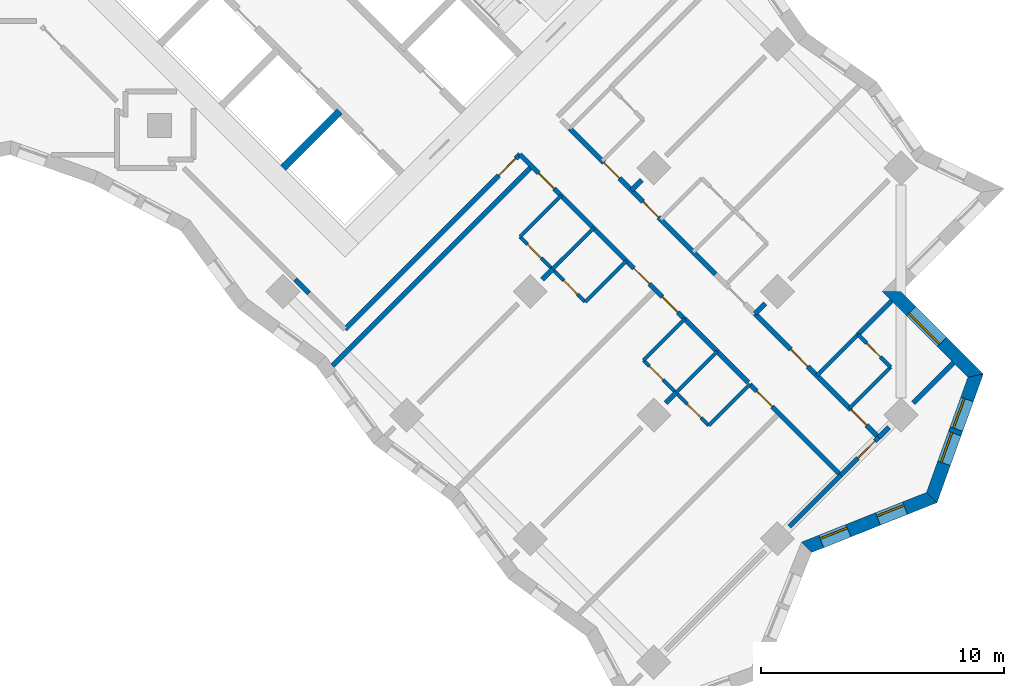
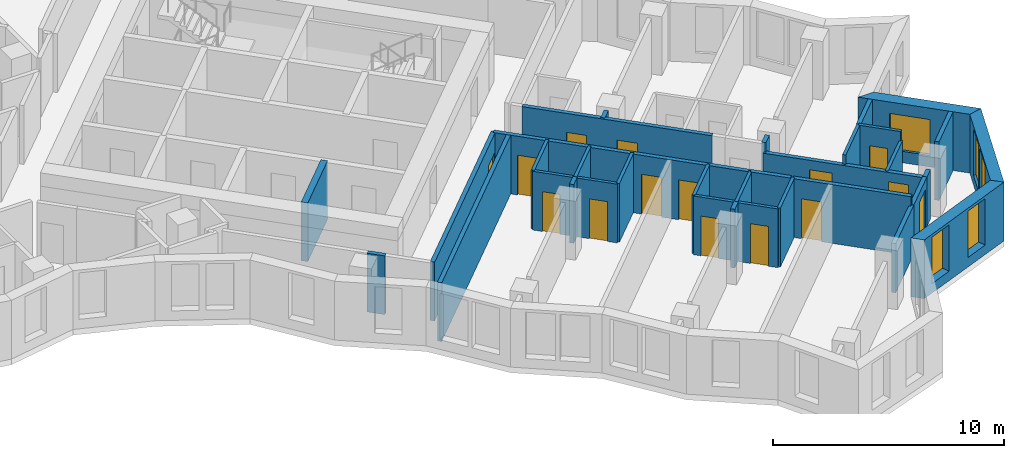
# One storey, part 9 of 13: 33 walls, 15 doors, 5 windows, 20 openings.
"""IFC4 building model written with IfcOpenShell, lengths in metres."""

import ifcopenshell
import ifcopenshell.guid

model = None  # the IFC model being written
_history = None  # IfcOwnerHistory: only IFC2X3 demands one
_inside = {}  # id of a spatial element -> (the spatial element, [elements in it])
_under = {}  # id of a project, library or spatial element -> (it, [spatial elements below it])
_declared = {}  # id of a project -> (the project, [libraries it declares])
_typed = {}  # id of a type object -> (the type object, [elements of that type])
_made_of = {}  # id of a material, layer set ... -> (it, [elements and type objects made of it])


def new_model(schema):
    """Start an empty IFC model of exactly this schema.

    Asked for "IFC4X3", IfcOpenShell would pick the latest addendum, in which some entities
    have other attributes; the version numbers below select the first issue.
    IFC2X3 requires an IfcOwnerHistory on every rooted entity: one is made here for all.
    """
    global model, _history
    if schema == "IFC4X3":
        model = ifcopenshell.file(schema_version=(4, 3, 0, 0))
    else:
        model = ifcopenshell.file(schema=schema)
    _inside.clear()
    _under.clear()
    _declared.clear()
    _typed.clear()
    _made_of.clear()
    _history = None
    if model.schema == "IFC2X3":
        org = make("IfcOrganization", Name="unknown")
        user = make(
            "IfcPersonAndOrganization",
            ThePerson=make("IfcPerson", FamilyName="unknown"),
            TheOrganization=org,
        )
        app = make(
            "IfcApplication",
            ApplicationDeveloper=org,
            Version="unknown",
            ApplicationFullName="unknown",
            ApplicationIdentifier="unknown",
        )
        _history = make(
            "IfcOwnerHistory",
            OwningUser=user,
            OwningApplication=app,
            ChangeAction="ADDED",
            CreationDate=0,
        )
    return model


def make(cls, **values):
    """One entity of the class cls with the attributes given. An attribute that is None is left unset."""
    return model.create_entity(
        cls, **{name: value for name, value in values.items() if value is not None}
    )


def rooted(cls, **values):
    """An entity with a GlobalId (a new one), such as an element, a storey or a relation."""
    return make(cls, GlobalId=ifcopenshell.guid.new(), OwnerHistory=_history, **values)


def si_unit(unit_type, name, prefix=None):
    """IfcSIUnit, for example si_unit("LENGTHUNIT", "METRE", prefix="MILLI")."""
    return make("IfcSIUnit", UnitType=unit_type, Prefix=prefix, Name=name)


def assignment(units):
    """IfcUnitAssignment: the units of a project."""
    return None if units is None else make("IfcUnitAssignment", Units=units)


def point(xyz):
    """IfcCartesianPoint."""
    return None if xyz is None else make("IfcCartesianPoint", Coordinates=xyz)


def direction(xyz):
    """IfcDirection."""
    return None if xyz is None else make("IfcDirection", DirectionRatios=xyz)


def frame(location, z_axis=None, x_axis=None):
    """IfcAxis2Placement3D, a coordinate frame: its origin and axes. An axis left out is left unset."""
    return make(
        "IfcAxis2Placement3D",
        Location=point(location),
        Axis=direction(z_axis),
        RefDirection=direction(x_axis),
    )


def frame_2d(location, x_axis=None):
    """IfcAxis2Placement2D, a coordinate frame in the plane: its origin and x axis."""
    return make(
        "IfcAxis2Placement2D", Location=point(location), RefDirection=direction(x_axis)
    )


def origin():
    """The frame at (0, 0, 0) with its axes left unset."""
    return frame((0.0, 0.0, 0.0))


def place(relative_to, where):
    """IfcLocalPlacement: puts the frame where relative to a parent placement (None: the world)."""
    return make(
        "IfcLocalPlacement", PlacementRelTo=relative_to, RelativePlacement=where
    )


def context(
    kind, dimensions, precision=None, world=None, true_north=None, identifier=None
):
    """IfcGeometricRepresentationContext, for example the 3D "Model" context."""
    return make(
        "IfcGeometricRepresentationContext",
        ContextIdentifier=identifier,
        ContextType=kind,
        CoordinateSpaceDimension=dimensions,
        Precision=precision,
        WorldCoordinateSystem=world,
        TrueNorth=true_north,
    )


def subcontext(parent, identifier, kind, view, scale=None):
    """IfcGeometricRepresentationSubContext, for example "Body" below "Model"."""
    return make(
        "IfcGeometricRepresentationSubContext",
        ContextIdentifier=identifier,
        ContextType=kind,
        ParentContext=parent,
        TargetScale=scale,
        TargetView=view,
    )


def project(units=None, contexts=None):
    """IfcProject with its units and contexts."""
    return rooted(
        "IfcProject",
        Name="project",
        RepresentationContexts=contexts,
        UnitsInContext=assignment(units),
    )


def spatial(cls, under=None, at=None, **own):
    """A site, building, storey or space (cls), placed at a placement, below another one or the project."""
    s = rooted(cls, ObjectPlacement=at, **own)
    if under is not None:
        _under.setdefault(under.id(), (under, []))[1].append(s)
    return s


def polyline(points):
    """IfcPolyline through the points."""
    return make("IfcPolyline", Points=[point(p) for p in points])


def profile(cls, at=None, kind="AREA", **sizes):
    """A parametric profile (cls). Its sizes go by their IFC names, for example OverallWidth=200.0."""
    return make(cls, ProfileType=kind, Position=at, **sizes)


def rectangle(**sizes):
    """IfcRectangleProfileDef."""
    return profile("IfcRectangleProfileDef", **sizes)


def outline(outer, holes=None, kind="AREA"):
    """IfcArbitraryClosedProfileDef: a profile drawn as a closed curve; with holes, ...WithVoids."""
    if holes is None:
        return make("IfcArbitraryClosedProfileDef", ProfileType=kind, OuterCurve=outer)
    return make(
        "IfcArbitraryProfileDefWithVoids",
        ProfileType=kind,
        OuterCurve=outer,
        InnerCurves=holes,
    )


def extrude(swept, where, along, depth):
    """IfcExtrudedAreaSolid: the profile swept, set in the frame where, extruded along a direction by depth."""
    return make(
        "IfcExtrudedAreaSolid",
        SweptArea=swept,
        Position=where,
        ExtrudedDirection=direction(along),
        Depth=depth,
    )


def shape(context_of_items, identifier, shape_type, items):
    """IfcShapeRepresentation: the items that make up one representation, for example the "Body"."""
    return make(
        "IfcShapeRepresentation",
        ContextOfItems=context_of_items,
        RepresentationIdentifier=identifier,
        RepresentationType=shape_type,
        Items=items,
    )


def material(Name=None, Category=None):
    """IfcMaterial."""
    return make("IfcMaterial", Name=Name, Category=Category)


def layer(
    of_material, thickness, ventilated=None, Name=None, Category=None, Priority=None
):
    """IfcMaterialLayer: one layer of a wall or slab, of a material (None: an air gap)."""
    return make(
        "IfcMaterialLayer",
        Material=of_material,
        LayerThickness=thickness,
        IsVentilated=ventilated,
        Name=Name,
        Category=Category,
        Priority=Priority,
    )


def layer_set(layers, Name=None):
    """IfcMaterialLayerSet."""
    return make("IfcMaterialLayerSet", MaterialLayers=layers, LayerSetName=Name)


def made_of(thing, what):
    """Note that an element or type object is made of a material, layer set ...; save() writes the relation."""
    if what is not None:
        _made_of.setdefault(what.id(), (what, []))[1].append(thing)
    return thing


def type_object(cls, material=None, **own):
    """A type object (cls), such as IfcWallType, which elements share."""
    return made_of(rooted(cls, **own), material)


def element(
    cls,
    number,
    at=None,
    inside=None,
    cuts=None,
    type_object=None,
    material=None,
    context=None,
    identifier="Body",
    shape_type=None,
    held_by="IfcProductDefinitionShape",
    body=None,
    shapes=None,
    **own,
):
    """One element of the class cls, such as IfcWall. Its Tag is "e" and its number.

    at: its placement. inside: the storey or other place that contains it. cuts: it is an
    opening in that element (IfcRelVoidsElement). A single representation is given by context,
    identifier, shape_type and body (its items); several are given by shapes. held_by: the class
    of the entity that holds the representations. save() writes the other relations.
    """
    e = rooted(cls, Tag="e%d" % number, ObjectPlacement=at, **own)
    if body is not None:
        shapes = [shape(context, identifier, shape_type, body)]
    if shapes is not None:
        e.Representation = make(held_by, Representations=shapes)
    if inside is not None:
        _inside.setdefault(inside.id(), (inside, []))[1].append(e)
    if cuts is not None:
        rooted(
            "IfcRelVoidsElement", RelatingBuildingElement=cuts, RelatedOpeningElement=e
        )
    if type_object is not None:
        _typed.setdefault(type_object.id(), (type_object, []))[1].append(e)
    return made_of(e, material)


def fill(opening, filler):
    """IfcRelFillsElement: the door or window that sits in an opening."""
    return rooted(
        "IfcRelFillsElement",
        RelatingOpeningElement=opening,
        RelatedBuildingElement=filler,
    )


def aggregate(whole, parts):
    """IfcRelAggregates: a whole, such as a stair, and the parts it consists of."""
    return rooted("IfcRelAggregates", RelatingObject=whole, RelatedObjects=parts)


def save(model, path):
    """Write the relations noted so far, then the file.

    IfcRelAggregates (storeys below a building ...), IfcRelContainedInSpatialStructure (elements
    in a storey), IfcRelDefinesByType, IfcRelAssociatesMaterial and IfcRelDeclares: one each for
    every whole, place, type object, material and project.
    """
    for whole, parts in _under.values():
        aggregate(whole, parts)
    for where, things in _inside.values():
        rooted(
            "IfcRelContainedInSpatialStructure",
            RelatedElements=things,
            RelatingStructure=where,
        )
    for kind, things in _typed.values():
        rooted("IfcRelDefinesByType", RelatedObjects=things, RelatingType=kind)
    for what, things in _made_of.values():
        rooted("IfcRelAssociatesMaterial", RelatedObjects=things, RelatingMaterial=what)
    for by, libraries in _declared.values():
        rooted("IfcRelDeclares", RelatingContext=by, RelatedDefinitions=libraries)
    model.write(path)


model = new_model("IFC4")

# Units and contexts
model_context = context("Model", 3, precision=1e-05, world=origin(), true_north=direction((0.0, 1.0)))
body_context = subcontext(model_context, "Body", "Model", "MODEL_VIEW")
ifc_project = project(units=[si_unit("LENGTHUNIT", "METRE"), si_unit("AREAUNIT", "SQUARE_METRE"), si_unit("VOLUMEUNIT", "CUBIC_METRE"), si_unit("PLANEANGLEUNIT", "RADIAN"), si_unit("MASSUNIT", "GRAM", prefix="KILO")], contexts=[model_context])

# Site, building, storey
site_placement = place(None, origin())
site = spatial("IfcSite", under=ifc_project, at=site_placement, CompositionType="ELEMENT")
building_placement = place(site_placement, origin())
building = spatial("IfcBuilding", under=site, at=building_placement, Name="Windrow Commons", CompositionType="ELEMENT")
storey_placement = place(building_placement, frame((0.0, 0.0, 115.2)))
storey = spatial("IfcBuildingStorey", under=building, at=storey_placement, Name="L31", CompositionType="ELEMENT", Elevation=115.2)

# Wall, openings, windows
ifc_material_1 = material(Name="Brick masonry, red clay brick", Category="masonry")
ifc_layer_1 = layer(ifc_material_1, 0.55)
ifc_layer_set_1 = layer_set([ifc_layer_1], Name="Brick facade wall 550")
wall_type_1 = type_object("IfcWallType", Name="Brick facade wall 550", PredefinedType="SOLIDWALL", material=ifc_layer_set_1)
wall_1_placement = place(storey_placement, frame((105.8572, 25.8245, 0.0), z_axis=(0.0, 0.0, 1.0), x_axis=(0.9293292169, 0.3692522262, 0.0)))
wall_1 = element("IfcWall", 1, at=wall_1_placement, inside=storey, type_object=wall_type_1, Name="Brick facade wall L31 3", PredefinedType="SOLIDWALL", context=body_context, shape_type="SweptSolid", body=[
    extrude(outline(polyline([(0.1186, -0.275), (5.6736, -0.275), (5.4256, 0.275), (-0.1186, 0.275), (0.1186, -0.275)])), origin(), (0.0, 0.0, 1.0), 3.1),
])
opening_1_placement = place(wall_1_placement, frame((0.6529, 0.0, 0.5)))
opening_1 = element("IfcOpeningElement", 2, at=opening_1_placement, cuts=wall_1, Name="Opening W7D", PredefinedType="OPENING", context=body_context, shape_type="SweptSolid", body=[
    extrude(rectangle(XDim=1.2, YDim=2.45, at=frame_2d((0.6, 1.225))), frame((0.0, 0.285, 0.0), z_axis=(0.0, -1.0, 0.0), x_axis=(1.0, 0.0, 0.0)), (0.0, 0.0, 1.0), 0.57),
])
opening_2_placement = place(wall_1_placement, frame((3.1657, 0.0, 0.5)))
opening_2 = element("IfcOpeningElement", 3, at=opening_2_placement, cuts=wall_1, Name="Opening W7D", PredefinedType="OPENING", context=body_context, shape_type="SweptSolid", body=[
    extrude(rectangle(XDim=1.2, YDim=2.45, at=frame_2d((0.6, 1.225))), frame((0.0, 0.285, 0.0), z_axis=(0.0, -1.0, 0.0), x_axis=(1.0, 0.0, 0.0)), (0.0, 0.0, 1.0), 0.57),
])
ifc_material_2 = material(Name="Clear float glass in anodised aluminium frame", Category="aluminium")
window_type_1 = type_object("IfcWindowType", Name="Window W7 notch 1200x2450", PartitioningType="SINGLE_PANEL", PredefinedType="WINDOW", material=ifc_material_2)
window_1_placement = place(opening_1_placement, origin())
window_1 = element("IfcWindow", 4, at=window_1_placement, inside=storey, type_object=window_type_1, Name="Window L31 3.1", OverallHeight=2.45, OverallWidth=1.2, PartitioningType="SINGLE_PANEL", PredefinedType="WINDOW", context=body_context, shape_type="SweptSolid", body=[
    extrude(rectangle(XDim=1.2, YDim=2.45, at=frame_2d((0.6, 1.225))), frame((0.0, 0.155, 0.0), z_axis=(0.0, -1.0, 0.0), x_axis=(1.0, 0.0, 0.0)), (0.0, 0.0, 1.0), 0.06),
])
fill(opening_1, window_1)
window_2_placement = place(opening_2_placement, origin())
window_2 = element("IfcWindow", 5, at=window_2_placement, inside=storey, type_object=window_type_1, Name="Window L31 3.2", OverallHeight=2.45, OverallWidth=1.2, PartitioningType="SINGLE_PANEL", PredefinedType="WINDOW", context=body_context, shape_type="SweptSolid", body=[
    extrude(rectangle(XDim=1.2, YDim=2.45, at=frame_2d((0.6, 1.225))), frame((0.0, 0.155, 0.0), z_axis=(0.0, -1.0, 0.0), x_axis=(1.0, 0.0, 0.0)), (0.0, 0.0, 1.0), 0.06),
])
fill(opening_2, window_2)

wall_2_placement = place(storey_placement, frame((111.0146, 27.8737, 0.0), z_axis=(0.0, 0.0, 1.0), x_axis=(0.3387725306, 0.9408683077, 0.0)))
wall_2 = element("IfcWall", 6, at=wall_2_placement, inside=storey, type_object=wall_type_1, Name="Brick facade wall L31 4", PredefinedType="SOLIDWALL", context=body_context, shape_type="SweptSolid", body=[
    extrude(outline(polyline([(-0.124, -0.275), (5.5132, -0.275), (5.1641, 0.275), (0.124, 0.275), (-0.124, -0.275)])), origin(), (0.0, 0.0, 1.0), 3.1),
])
opening_3_placement = place(wall_2_placement, frame((1.4977, 0.0, 0.5)))
opening_3 = element("IfcOpeningElement", 7, at=opening_3_placement, cuts=wall_2, Name="Opening W1P", PredefinedType="OPENING", context=body_context, shape_type="SweptSolid", body=[
    extrude(rectangle(XDim=1.3, YDim=2.45, at=frame_2d((0.65, 1.225))), frame((0.0, 0.285, 0.0), z_axis=(0.0, -1.0, 0.0), x_axis=(1.0, 0.0, 0.0)), (0.0, 0.0, 1.0), 0.57),
])
opening_4_placement = place(wall_2_placement, frame((2.9977, 0.0, 0.5)))
opening_4 = element("IfcOpeningElement", 8, at=opening_4_placement, cuts=wall_2, Name="Opening W1P", PredefinedType="OPENING", context=body_context, shape_type="SweptSolid", body=[
    extrude(rectangle(XDim=1.3, YDim=2.45, at=frame_2d((0.65, 1.225))), frame((0.0, 0.285, 0.0), z_axis=(0.0, -1.0, 0.0), x_axis=(1.0, 0.0, 0.0)), (0.0, 0.0, 1.0), 0.57),
])
ifc_material_3 = material(Name="Clear float glass in anodised aluminium frame", Category="aluminium")
window_type_2 = type_object("IfcWindowType", Name="Window W1P pair 1300x2450", PartitioningType="SINGLE_PANEL", PredefinedType="WINDOW", material=ifc_material_3)
window_3_placement = place(opening_3_placement, origin())
window_3 = element("IfcWindow", 9, at=window_3_placement, inside=storey, type_object=window_type_2, Name="Window L31 4.1A", OverallHeight=2.45, OverallWidth=1.3, PartitioningType="SINGLE_PANEL", PredefinedType="WINDOW", context=body_context, shape_type="SweptSolid", body=[
    extrude(rectangle(XDim=1.3, YDim=2.45, at=frame_2d((0.65, 1.225))), frame((0.0, 0.155, 0.0), z_axis=(0.0, -1.0, 0.0), x_axis=(1.0, 0.0, 0.0)), (0.0, 0.0, 1.0), 0.06),
])
fill(opening_3, window_3)
window_4_placement = place(opening_4_placement, origin())
window_4 = element("IfcWindow", 10, at=window_4_placement, inside=storey, type_object=window_type_2, Name="Window L31 4.1B", OverallHeight=2.45, OverallWidth=1.3, PartitioningType="SINGLE_PANEL", PredefinedType="WINDOW", context=body_context, shape_type="SweptSolid", body=[
    extrude(rectangle(XDim=1.3, YDim=2.45, at=frame_2d((0.65, 1.225))), frame((0.0, 0.155, 0.0), z_axis=(0.0, -1.0, 0.0), x_axis=(1.0, 0.0, 0.0)), (0.0, 0.0, 1.0), 0.06),
])
fill(opening_4, window_4)

# Wall, opening, window
wall_3_placement = place(storey_placement, frame((112.8232, 32.8967, 0.0), z_axis=(0.0, 0.0, 1.0), x_axis=(-0.7071067812, 0.7071067812, 0.0)))
wall_3 = element("IfcWall", 11, at=wall_3_placement, inside=storey, type_object=wall_type_1, Name="Brick facade wall L31 5", PredefinedType="SOLIDWALL", context=body_context, shape_type="SweptSolid", body=[
    extrude(outline(polyline([(-0.1745, -0.275), (4.6255, -0.275), (5.1755, 0.275), (0.1745, 0.275), (-0.1745, -0.275)])), origin(), (0.0, 0.0, 1.0), 3.1),
])
opening_5_placement = place(wall_3_placement, frame((1.963, 0.0, 0.6)))
opening_5 = element("IfcOpeningElement", 12, at=opening_5_placement, cuts=wall_3, Name="Opening W1L", PredefinedType="OPENING", context=body_context, shape_type="SweptSolid", body=[
    extrude(rectangle(XDim=1.8, YDim=1.9, at=frame_2d((0.9, 0.95))), frame((0.0, 0.285, 0.0), z_axis=(0.0, -1.0, 0.0), x_axis=(1.0, 0.0, 0.0)), (0.0, 0.0, 1.0), 0.57),
])
ifc_material_4 = material(Name="Clear float glass in anodised aluminium frame", Category="aluminium")
window_type_3 = type_object("IfcWindowType", Name="Window W1L bedroom 1800x1900", PartitioningType="SINGLE_PANEL", PredefinedType="WINDOW", material=ifc_material_4)
window_5_placement = place(opening_5_placement, origin())
window_5 = element("IfcWindow", 13, at=window_5_placement, inside=storey, type_object=window_type_3, Name="Window L31 5.1", OverallHeight=1.9, OverallWidth=1.8, PartitioningType="SINGLE_PANEL", PredefinedType="WINDOW", context=body_context, shape_type="SweptSolid", body=[
    extrude(rectangle(XDim=1.8, YDim=1.9, at=frame_2d((0.9, 0.95))), frame((0.0, 0.155, 0.0), z_axis=(0.0, -1.0, 0.0), x_axis=(1.0, 0.0, 0.0)), (0.0, 0.0, 1.0), 0.06),
])
fill(opening_5, window_5)

# Wall, opening, door
ifc_material_5 = material(Name="Blockwork partition", Category="masonry")
ifc_layer_2 = layer(ifc_material_5, 0.2)
ifc_layer_set_2 = layer_set([ifc_layer_2], Name="IW-CORRIDOR-200")
wall_type_2 = type_object("IfcWallType", Name="IW-CORRIDOR-200", PredefinedType="PARTITIONING", material=ifc_layer_set_2)
wall_4_placement = place(storey_placement, frame((86.8355, 34.8065, 0.0), z_axis=(0.0, 0.0, 1.0), x_axis=(0.7071067812, 0.7071067812, 0.0)))
wall_4 = element("IfcWall", 14, at=wall_4_placement, inside=storey, type_object=wall_type_2, Name="W-L31-W011", PredefinedType="PARTITIONING", context=body_context, shape_type="SweptSolid", body=[
    extrude(rectangle(XDim=10.2007, YDim=0.2, at=frame_2d((5.1003, 0.0))), origin(), (0.0, 0.0, 1.0), 3.1),
])
opening_6_placement = place(wall_4_placement, frame((8.959, 0.0, 0.0)))
opening_6 = element("IfcOpeningElement", 15, at=opening_6_placement, cuts=wall_4, Name="Opening D310F", PredefinedType="OPENING", context=body_context, shape_type="SweptSolid", body=[
    extrude(rectangle(XDim=1.0, YDim=2.1, at=frame_2d((0.5, 1.05))), frame((0.0, 0.11, 0.0), z_axis=(0.0, -1.0, 0.0), x_axis=(1.0, 0.0, 0.0)), (0.0, 0.0, 1.0), 0.22),
])
ifc_material_6 = material(Name="Timber door leaf", Category="wood")
door_type_1 = type_object("IfcDoorType", Name="DT-AMENITY-1000", OperationType="SINGLE_SWING_LEFT", PredefinedType="DOOR", material=ifc_material_6)
door_1_placement = place(opening_6_placement, origin())
door_1 = element("IfcDoor", 16, at=door_1_placement, inside=storey, type_object=door_type_1, Name="D-L31-D056", OperationType="SINGLE_SWING_LEFT", OverallHeight=2.1, OverallWidth=1.0, PredefinedType="DOOR", context=body_context, shape_type="SweptSolid", body=[
    extrude(rectangle(XDim=1.0, YDim=2.1, at=frame_2d((0.5, 1.05))), frame((0.0, 0.025, 0.0), z_axis=(0.0, -1.0, 0.0), x_axis=(1.0, 0.0, 0.0)), (0.0, 0.0, 1.0), 0.05),
])
fill(opening_6, door_1)

# Wall, openings, doors
wall_5_placement = place(storey_placement, frame((94.0467, 42.0147, 0.0), z_axis=(0.0, 0.0, 1.0), x_axis=(0.7071067812, -0.7071067812, 0.0)))
wall_5 = element("IfcWall", 17, at=wall_5_placement, inside=storey, type_object=wall_type_2, Name="W-L31-W012", PredefinedType="PARTITIONING", context=body_context, shape_type="SweptSolid", body=[
    extrude(rectangle(XDim=9.5997, YDim=0.2, at=frame_2d((4.7999, 0.0))), origin(), (0.0, 0.0, 1.0), 3.1),
])
opening_7_placement = place(wall_5_placement, frame((1.099, 0.0, 0.0)))
opening_7 = element("IfcOpeningElement", 18, at=opening_7_placement, cuts=wall_5, Name="Opening D109S", PredefinedType="OPENING", context=body_context, shape_type="SweptSolid", body=[
    extrude(rectangle(XDim=0.9, YDim=2.1, at=frame_2d((0.45, 1.05))), frame((0.0, 0.11, 0.0), z_axis=(0.0, -1.0, 0.0), x_axis=(1.0, 0.0, 0.0)), (0.0, 0.0, 1.0), 0.22),
])
opening_8_placement = place(wall_5_placement, frame((6.649, 0.0, 0.0)))
opening_8 = element("IfcOpeningElement", 19, at=opening_8_placement, cuts=wall_5, Name="Opening D109S", PredefinedType="OPENING", context=body_context, shape_type="SweptSolid", body=[
    extrude(rectangle(XDim=0.9, YDim=2.1, at=frame_2d((0.45, 1.05))), frame((0.0, 0.11, 0.0), z_axis=(0.0, -1.0, 0.0), x_axis=(1.0, 0.0, 0.0)), (0.0, 0.0, 1.0), 0.22),
])
opening_9_placement = place(wall_5_placement, frame((8.3003, 0.0, 0.0)))
opening_9 = element("IfcOpeningElement", 20, at=opening_9_placement, cuts=wall_5, Name="Opening D109S", PredefinedType="OPENING", context=body_context, shape_type="SweptSolid", body=[
    extrude(rectangle(XDim=0.9, YDim=2.1, at=frame_2d((0.45, 1.05))), frame((0.0, 0.11, 0.0), z_axis=(0.0, -1.0, 0.0), x_axis=(1.0, 0.0, 0.0)), (0.0, 0.0, 1.0), 0.22),
])
ifc_material_7 = material(Name="Timber door leaf", Category="wood")
door_type_2 = type_object("IfcDoorType", Name="DT-BEDROOM-900", OperationType="SINGLE_SWING_LEFT", PredefinedType="DOOR", material=ifc_material_7)
door_2_placement = place(opening_7_placement, origin())
door_2 = element("IfcDoor", 21, at=door_2_placement, inside=storey, type_object=door_type_2, Name="D-L31-D057", OperationType="SINGLE_SWING_LEFT", OverallHeight=2.1, OverallWidth=0.9, PredefinedType="DOOR", context=body_context, shape_type="SweptSolid", body=[
    extrude(rectangle(XDim=0.9, YDim=2.1, at=frame_2d((0.45, 1.05))), frame((0.0, 0.025, 0.0), z_axis=(0.0, -1.0, 0.0), x_axis=(1.0, 0.0, 0.0)), (0.0, 0.0, 1.0), 0.05),
])
fill(opening_7, door_2)
door_3_placement = place(opening_8_placement, origin())
door_3 = element("IfcDoor", 22, at=door_3_placement, inside=storey, type_object=door_type_2, Name="D-L31-D059", OperationType="SINGLE_SWING_RIGHT", OverallHeight=2.1, OverallWidth=0.9, PredefinedType="DOOR", context=body_context, shape_type="SweptSolid", body=[
    extrude(rectangle(XDim=0.9, YDim=2.1, at=frame_2d((0.45, 1.05))), frame((0.0, 0.025, 0.0), z_axis=(0.0, -1.0, 0.0), x_axis=(1.0, 0.0, 0.0)), (0.0, 0.0, 1.0), 0.05),
])
fill(opening_8, door_3)
door_4_placement = place(opening_9_placement, origin())
door_4 = element("IfcDoor", 23, at=door_4_placement, inside=storey, type_object=door_type_2, Name="D-L31-D061", OperationType="SINGLE_SWING_LEFT", OverallHeight=2.1, OverallWidth=0.9, PredefinedType="DOOR", context=body_context, shape_type="SweptSolid", body=[
    extrude(rectangle(XDim=0.9, YDim=2.1, at=frame_2d((0.45, 1.05))), frame((0.0, 0.025, 0.0), z_axis=(0.0, -1.0, 0.0), x_axis=(1.0, 0.0, 0.0)), (0.0, 0.0, 1.0), 0.05),
])
fill(opening_9, door_4)

wall_6_placement = place(storey_placement, frame((96.1034, 43.0834, 0.0), z_axis=(0.0, 0.0, 1.0), x_axis=(0.7071067812, -0.7071067812, 0.0)))
wall_6 = element("IfcWall", 24, at=wall_6_placement, inside=storey, type_object=wall_type_2, Name="W-L31-W015", PredefinedType="PARTITIONING", context=body_context, shape_type="SweptSolid", body=[
    extrude(rectangle(XDim=8.4909, YDim=0.2, at=frame_2d((4.2454, 0.0))), origin(), (0.0, 0.0, 1.0), 3.1),
])
opening_10_placement = place(wall_6_placement, frame((1.9952, 0.0, 0.0)))
opening_10 = element("IfcOpeningElement", 25, at=opening_10_placement, cuts=wall_6, Name="Opening D109S", PredefinedType="OPENING", context=body_context, shape_type="SweptSolid", body=[
    extrude(rectangle(XDim=0.9, YDim=2.1, at=frame_2d((0.45, 1.05))), frame((0.0, 0.11, 0.0), z_axis=(0.0, -1.0, 0.0), x_axis=(1.0, 0.0, 0.0)), (0.0, 0.0, 1.0), 0.22),
])
opening_11_placement = place(wall_6_placement, frame((4.2704, 0.0, 0.0)))
opening_11 = element("IfcOpeningElement", 26, at=opening_11_placement, cuts=wall_6, Name="Opening D109S", PredefinedType="OPENING", context=body_context, shape_type="SweptSolid", body=[
    extrude(rectangle(XDim=0.9, YDim=2.1, at=frame_2d((0.45, 1.05))), frame((0.0, 0.11, 0.0), z_axis=(0.0, -1.0, 0.0), x_axis=(1.0, 0.0, 0.0)), (0.0, 0.0, 1.0), 0.22),
])
door_5_placement = place(opening_10_placement, origin())
door_5 = element("IfcDoor", 27, at=door_5_placement, inside=storey, type_object=door_type_2, Name="D-L31-D048", OperationType="SINGLE_SWING_RIGHT", OverallHeight=2.1, OverallWidth=0.9, PredefinedType="DOOR", context=body_context, shape_type="SweptSolid", body=[
    extrude(rectangle(XDim=0.9, YDim=2.1, at=frame_2d((0.45, 1.05))), frame((0.0, 0.025, 0.0), z_axis=(0.0, -1.0, 0.0), x_axis=(1.0, 0.0, 0.0)), (0.0, 0.0, 1.0), 0.05),
])
fill(opening_10, door_5)
door_6_placement = place(opening_11_placement, origin())
door_6 = element("IfcDoor", 28, at=door_6_placement, inside=storey, type_object=door_type_2, Name="D-L31-D050", OperationType="SINGLE_SWING_LEFT", OverallHeight=2.1, OverallWidth=0.9, PredefinedType="DOOR", context=body_context, shape_type="SweptSolid", body=[
    extrude(rectangle(XDim=0.9, YDim=2.1, at=frame_2d((0.45, 1.05))), frame((0.0, 0.025, 0.0), z_axis=(0.0, -1.0, 0.0), x_axis=(1.0, 0.0, 0.0)), (0.0, 0.0, 1.0), 0.05),
])
fill(opening_11, door_6)

wall_7_placement = place(storey_placement, frame((108.8314, 30.3554, 0.0), z_axis=(0.0, 0.0, 1.0), x_axis=(-0.7073012053, 0.7069123036, 0.0)))
wall_7 = element("IfcWall", 29, at=wall_7_placement, inside=storey, type_object=wall_type_2, Name="W-L31-W019", PredefinedType="PARTITIONING", context=body_context, shape_type="SweptSolid", body=[
    extrude(rectangle(XDim=7.1998, YDim=0.2, at=frame_2d((3.5999, 0.0))), origin(), (0.0, 0.0, 1.0), 2.6),
])
opening_12_placement = place(wall_7_placement, frame((4.1247, 0.0, 0.0)))
opening_12 = element("IfcOpeningElement", 30, at=opening_12_placement, cuts=wall_7, Name="Opening D310F", PredefinedType="OPENING", context=body_context, shape_type="SweptSolid", body=[
    extrude(rectangle(XDim=1.0, YDim=2.1, at=frame_2d((0.5, 1.05))), frame((0.0, 0.11, 0.0), z_axis=(0.0, -1.0, 0.0), x_axis=(1.0, 0.0, 0.0)), (0.0, 0.0, 1.0), 0.22),
])
opening_13_placement = place(wall_7_placement, frame((0.7053, 0.0, 0.0)))
opening_13 = element("IfcOpeningElement", 31, at=opening_13_placement, cuts=wall_7, Name="Opening D109S", PredefinedType="OPENING", context=body_context, shape_type="SweptSolid", body=[
    extrude(rectangle(XDim=0.9, YDim=2.1, at=frame_2d((0.45, 1.05))), frame((0.0, 0.11, 0.0), z_axis=(0.0, -1.0, 0.0), x_axis=(1.0, 0.0, 0.0)), (0.0, 0.0, 1.0), 0.22),
])
door_7_placement = place(opening_12_placement, origin())
door_7 = element("IfcDoor", 32, at=door_7_placement, inside=storey, type_object=door_type_1, Name="D-L31-D045", OperationType="SINGLE_SWING_LEFT", OverallHeight=2.1, OverallWidth=1.0, PredefinedType="DOOR", context=body_context, shape_type="SweptSolid", body=[
    extrude(rectangle(XDim=1.0, YDim=2.1, at=frame_2d((0.5, 1.05))), frame((0.0, 0.025, 0.0), z_axis=(0.0, -1.0, 0.0), x_axis=(1.0, 0.0, 0.0)), (0.0, 0.0, 1.0), 0.05),
])
fill(opening_12, door_7)
door_8_placement = place(opening_13_placement, origin())
door_8 = element("IfcDoor", 33, at=door_8_placement, inside=storey, type_object=door_type_2, Name="D-L31-D065", OperationType="SINGLE_SWING_RIGHT", OverallHeight=2.1, OverallWidth=0.9, PredefinedType="DOOR", context=body_context, shape_type="SweptSolid", body=[
    extrude(rectangle(XDim=0.9, YDim=2.1, at=frame_2d((0.45, 1.05))), frame((0.0, 0.025, 0.0), z_axis=(0.0, -1.0, 0.0), x_axis=(1.0, 0.0, 0.0)), (0.0, 0.0, 1.0), 0.05),
])
fill(opening_13, door_8)

# Wall, opening, door
wall_8_placement = place(storey_placement, frame((103.5207, 32.5407, 0.0), z_axis=(0.0, 0.0, 1.0), x_axis=(0.7071067812, -0.7071067812, 0.0)))
wall_8 = element("IfcWall", 34, at=wall_8_placement, inside=storey, type_object=wall_type_2, Name="W-L31-W038", PredefinedType="PARTITIONING", context=body_context, shape_type="SweptSolid", body=[
    extrude(rectangle(XDim=5.3005, YDim=0.2, at=frame_2d((2.6503, 0.0))), origin(), (0.0, 0.0, 1.0), 3.1),
])
opening_14_placement = place(wall_8_placement, frame((0.3957, 0.0, 0.0)))
opening_14 = element("IfcOpeningElement", 35, at=opening_14_placement, cuts=wall_8, Name="Opening D109S", PredefinedType="OPENING", context=body_context, shape_type="SweptSolid", body=[
    extrude(rectangle(XDim=0.9, YDim=2.1, at=frame_2d((0.45, 1.05))), frame((0.0, 0.11, 0.0), z_axis=(0.0, -1.0, 0.0), x_axis=(1.0, 0.0, 0.0)), (0.0, 0.0, 1.0), 0.22),
])
door_9_placement = place(opening_14_placement, origin())
door_9 = element("IfcDoor", 36, at=door_9_placement, inside=storey, type_object=door_type_2, Name="D-L31-D063", OperationType="SINGLE_SWING_RIGHT", OverallHeight=2.1, OverallWidth=0.9, PredefinedType="DOOR", context=body_context, shape_type="SweptSolid", body=[
    extrude(rectangle(XDim=0.9, YDim=2.1, at=frame_2d((0.45, 1.05))), frame((0.0, 0.025, 0.0), z_axis=(0.0, -1.0, 0.0), x_axis=(1.0, 0.0, 0.0)), (0.0, 0.0, 1.0), 0.05),
])
fill(opening_14, door_9)

wall_9_placement = place(storey_placement, frame((107.2714, 28.7966, 0.0), z_axis=(0.0, 0.0, 1.0), x_axis=(0.7071067812, 0.7071067812, 0.0)))
wall_9 = element("IfcWall", 37, at=wall_9_placement, inside=storey, type_object=wall_type_2, Name="W-L31-W128", PredefinedType="PARTITIONING", context=body_context, shape_type="SweptSolid", body=[
    extrude(rectangle(XDim=2.2005, YDim=0.2, at=frame_2d((1.1002, 0.0))), origin(), (0.0, 0.0, 1.0), 2.6),
])
opening_15_placement = place(wall_9_placement, frame((0.9866, 0.0, 0.0)))
opening_15 = element("IfcOpeningElement", 38, at=opening_15_placement, cuts=wall_9, Name="Opening D310F", PredefinedType="OPENING", context=body_context, shape_type="SweptSolid", body=[
    extrude(rectangle(XDim=1.0, YDim=2.1, at=frame_2d((0.5, 1.05))), frame((0.0, 0.11, 0.0), z_axis=(0.0, -1.0, 0.0), x_axis=(1.0, 0.0, 0.0)), (0.0, 0.0, 1.0), 0.22),
])
door_10_placement = place(opening_15_placement, origin())
door_10 = element("IfcDoor", 39, at=door_10_placement, inside=storey, type_object=door_type_1, Name="D-L31-D067", OperationType="SINGLE_SWING_RIGHT", OverallHeight=2.1, OverallWidth=1.0, PredefinedType="DOOR", context=body_context, shape_type="SweptSolid", body=[
    extrude(rectangle(XDim=1.0, YDim=2.1, at=frame_2d((0.5, 1.05))), frame((0.0, 0.025, 0.0), z_axis=(0.0, -1.0, 0.0), x_axis=(1.0, 0.0, 0.0)), (0.0, 0.0, 1.0), 0.05),
])
fill(opening_15, door_10)

# Walls
wall_10_placement = place(storey_placement, frame((100.8386, 35.2306, 0.0), z_axis=(0.0, 0.0, 1.0), x_axis=(0.7065800724, -0.7076330979, 0.0)))
element("IfcWall", 40, at=wall_10_placement, inside=storey, type_object=wall_type_2, Name="W-L31-W151", PredefinedType="PARTITIONING", context=body_context, shape_type="SweptSolid", body=[
    extrude(rectangle(XDim=1.8993, YDim=0.2, at=frame_2d((0.9496, 0.0))), origin(), (0.0, 0.0, 1.0), 3.1),
])
wall_11_placement = place(storey_placement, frame((102.1834, 33.8894, 0.0), z_axis=(0.0, 0.0, 1.0), x_axis=(0.7076620277, -0.7065510983, 0.0)))
element("IfcWall", 41, at=wall_11_placement, inside=storey, type_object=wall_type_2, Name="W-L31-W155", PredefinedType="PARTITIONING", context=body_context, shape_type="SweptSolid", body=[
    extrude(rectangle(XDim=1.8003, YDim=0.2, at=frame_2d((0.9002, 0.0))), origin(), (0.0, 0.0, 1.0), 3.1),
])
wall_12_placement = place(storey_placement, frame((84.7953, 36.8553, 0.0), z_axis=(0.0, 0.0, 1.0), x_axis=(0.7071067812, -0.7071067812, 0.0)))
element("IfcWall", 42, at=wall_12_placement, inside=storey, type_object=wall_type_2, Name="W-L31-W179", PredefinedType="PARTITIONING", context=body_context, shape_type="SweptSolid", body=[
    extrude(rectangle(XDim=0.792, YDim=0.2, at=frame_2d((0.396, 0.0))), origin(), (0.0, 0.0, 1.0), 3.1),
])

# Wall, openings, doors
ifc_material_8 = material(Name="Blockwork partition", Category="masonry")
ifc_layer_3 = layer(ifc_material_8, 0.15)
ifc_layer_set_3 = layer_set([ifc_layer_3], Name="IW-ENSUITE-150")
wall_type_3 = type_object("IfcWallType", Name="IW-ENSUITE-150", PredefinedType="PARTITIONING", material=ifc_layer_set_3)
wall_13_placement = place(storey_placement, frame((99.1367, 33.5307, 0.0), z_axis=(0.0, 0.0, 1.0), x_axis=(0.7071067812, -0.7071067812, 0.0)))
wall_13 = element("IfcWall", 43, at=wall_13_placement, inside=storey, type_object=wall_type_3, Name="W-L31-W051", PredefinedType="PARTITIONING", context=body_context, shape_type="SweptSolid", body=[
    extrude(rectangle(XDim=3.8014, YDim=0.15, at=frame_2d((1.9007, 0.0))), origin(), (0.0, 0.0, 1.0), 3.1),
])
opening_16_placement = place(wall_13_placement, frame((0.3393, 0.0, 0.0)))
opening_16 = element("IfcOpeningElement", 44, at=opening_16_placement, cuts=wall_13, Name="Opening D208N", PredefinedType="OPENING", context=body_context, shape_type="SweptSolid", body=[
    extrude(rectangle(XDim=0.8, YDim=2.1, at=frame_2d((0.4, 1.05))), frame((0.0, 0.085, 0.0), z_axis=(0.0, -1.0, 0.0), x_axis=(1.0, 0.0, 0.0)), (0.0, 0.0, 1.0), 0.17),
])
opening_17_placement = place(wall_13_placement, frame((2.5569, 0.0, 0.0)))
opening_17 = element("IfcOpeningElement", 45, at=opening_17_placement, cuts=wall_13, Name="Opening D208N", PredefinedType="OPENING", context=body_context, shape_type="SweptSolid", body=[
    extrude(rectangle(XDim=0.8, YDim=2.1, at=frame_2d((0.4, 1.05))), frame((0.0, 0.085, 0.0), z_axis=(0.0, -1.0, 0.0), x_axis=(1.0, 0.0, 0.0)), (0.0, 0.0, 1.0), 0.17),
])
ifc_material_9 = material(Name="Timber door leaf", Category="wood")
door_type_3 = type_object("IfcDoorType", Name="DT-ENSUITE-800", OperationType="SINGLE_SWING_LEFT", PredefinedType="DOOR", material=ifc_material_9)
door_11_placement = place(opening_16_placement, origin())
door_11 = element("IfcDoor", 46, at=door_11_placement, inside=storey, type_object=door_type_3, Name="D-L31-D062", OperationType="SINGLE_SWING_RIGHT", OverallHeight=2.1, OverallWidth=0.8, PredefinedType="DOOR", context=body_context, shape_type="SweptSolid", body=[
    extrude(rectangle(XDim=0.8, YDim=2.1, at=frame_2d((0.4, 1.05))), frame((0.0, 0.025, 0.0), z_axis=(0.0, -1.0, 0.0), x_axis=(1.0, 0.0, 0.0)), (0.0, 0.0, 1.0), 0.05),
])
fill(opening_16, door_11)
door_12_placement = place(opening_17_placement, origin())
door_12 = element("IfcDoor", 47, at=door_12_placement, inside=storey, type_object=door_type_3, Name="D-L31-D064", OperationType="SINGLE_SWING_RIGHT", OverallHeight=2.1, OverallWidth=0.8, PredefinedType="DOOR", context=body_context, shape_type="SweptSolid", body=[
    extrude(rectangle(XDim=0.8, YDim=2.1, at=frame_2d((0.4, 1.05))), frame((0.0, 0.025, 0.0), z_axis=(0.0, -1.0, 0.0), x_axis=(1.0, 0.0, 0.0)), (0.0, 0.0, 1.0), 0.05),
])
fill(opening_17, door_12)

wall_14_placement = place(storey_placement, frame((94.0467, 38.6207, 0.0), z_axis=(0.0, 0.0, 1.0), x_axis=(0.7071067812, -0.7071067812, 0.0)))
wall_14 = element("IfcWall", 48, at=wall_14_placement, inside=storey, type_object=wall_type_3, Name="W-L31-W055", PredefinedType="PARTITIONING", context=body_context, shape_type="SweptSolid", body=[
    extrude(rectangle(XDim=3.7986, YDim=0.15, at=frame_2d((1.8993, 0.0))), origin(), (0.0, 0.0, 1.0), 3.1),
])
opening_18_placement = place(wall_14_placement, frame((0.444, 0.0, 0.0)))
opening_18 = element("IfcOpeningElement", 49, at=opening_18_placement, cuts=wall_14, Name="Opening D208N", PredefinedType="OPENING", context=body_context, shape_type="SweptSolid", body=[
    extrude(rectangle(XDim=0.8, YDim=2.1, at=frame_2d((0.4, 1.05))), frame((0.0, 0.085, 0.0), z_axis=(0.0, -1.0, 0.0), x_axis=(1.0, 0.0, 0.0)), (0.0, 0.0, 1.0), 0.17),
])
opening_19_placement = place(wall_14_placement, frame((2.5515, 0.0, 0.0)))
opening_19 = element("IfcOpeningElement", 50, at=opening_19_placement, cuts=wall_14, Name="Opening D208N", PredefinedType="OPENING", context=body_context, shape_type="SweptSolid", body=[
    extrude(rectangle(XDim=0.8, YDim=2.1, at=frame_2d((0.4, 1.05))), frame((0.0, 0.085, 0.0), z_axis=(0.0, -1.0, 0.0), x_axis=(1.0, 0.0, 0.0)), (0.0, 0.0, 1.0), 0.17),
])
door_13_placement = place(opening_18_placement, origin())
door_13 = element("IfcDoor", 51, at=door_13_placement, inside=storey, type_object=door_type_3, Name="D-L31-D058", OperationType="SINGLE_SWING_RIGHT", OverallHeight=2.1, OverallWidth=0.8, PredefinedType="DOOR", context=body_context, shape_type="SweptSolid", body=[
    extrude(rectangle(XDim=0.8, YDim=2.1, at=frame_2d((0.4, 1.05))), frame((0.0, 0.025, 0.0), z_axis=(0.0, -1.0, 0.0), x_axis=(1.0, 0.0, 0.0)), (0.0, 0.0, 1.0), 0.05),
])
fill(opening_18, door_13)
door_14_placement = place(opening_19_placement, origin())
door_14 = element("IfcDoor", 52, at=door_14_placement, inside=storey, type_object=door_type_3, Name="D-L31-D060", OperationType="SINGLE_SWING_RIGHT", OverallHeight=2.1, OverallWidth=0.8, PredefinedType="DOOR", context=body_context, shape_type="SweptSolid", body=[
    extrude(rectangle(XDim=0.8, YDim=2.1, at=frame_2d((0.4, 1.05))), frame((0.0, 0.025, 0.0), z_axis=(0.0, -1.0, 0.0), x_axis=(1.0, 0.0, 0.0)), (0.0, 0.0, 1.0), 0.05),
])
fill(opening_19, door_14)

# Walls
for number, where, z_axis, x_axis, name in (
    (53, (95.3887, 37.2853, 0.0), (0.0, 0.0, 1.0), (0.7075233388, 0.706689978, 0.0), "W-L31-W114"),
    (54, (94.0519, 38.6221, 0.0), (0.0, 0.0, 1.0), (0.706689978, 0.7075233388, 0.0), "W-L31-W115"),
    (55, (96.7393, 35.9347, 0.0), (0.0, 0.0, 1.0), (0.7075233388, 0.706689978, 0.0), "W-L31-W116"),
    (56, (99.1434, 33.5306, 0.0), (0.0, 0.0, 1.0), (0.7075233388, 0.706689978, 0.0), "W-L31-W117"),
    (57, (101.83, 30.844, 0.0), (0.0, 0.0, 1.0), (0.706689978, 0.7075233388, 0.0), "W-L31-W118"),
):
    element("IfcWall", number, at=place(storey_placement, frame(where, z_axis=z_axis, x_axis=x_axis)), inside=storey, type_object=wall_type_3, Name=name, PredefinedType="PARTITIONING", context=body_context, shape_type="SweptSolid", body=[
        extrude(rectangle(XDim=2.3999, YDim=0.15, at=frame_2d((1.2, 0.0))), origin(), (0.0, 0.0, 1.0), 3.1),
    ])
for number, where, z_axis, x_axis, name in (
    (58, (100.4832, 32.1908, 0.0), (0.0, 0.0, 1.0), (0.7071067812, 0.7071067812, 0.0), "W-L31-W120"),
    (59, (106.2828, 32.8992, 0.0), (0.0, 0.0, 1.0), (0.7071067812, 0.7071067812, 0.0), "W-L31-W122"),
):
    element("IfcWall", number, at=place(storey_placement, frame(where, z_axis=z_axis, x_axis=x_axis)), inside=storey, type_object=wall_type_3, Name=name, PredefinedType="PARTITIONING", context=body_context, shape_type="SweptSolid", body=[
        extrude(rectangle(XDim=2.3985, YDim=0.15, at=frame_2d((1.1992, 0.0))), origin(), (0.0, 0.0, 1.0), 3.1),
    ])
wall_15_placement = place(storey_placement, frame((107.6253, 31.5547, 0.0), z_axis=(0.0, 0.0, 1.0), x_axis=(0.7071067812, 0.7071067812, 0.0)))
element("IfcWall", 60, at=wall_15_placement, inside=storey, type_object=wall_type_3, Name="W-L31-W123", PredefinedType="PARTITIONING", context=body_context, shape_type="SweptSolid", body=[
    extrude(rectangle(XDim=2.3985, YDim=0.15, at=frame_2d((1.1992, 0.0))), origin(), (0.0, 0.0, 1.0), 2.6),
])

# Wall, opening, door
wall_16_placement = place(storey_placement, frame((107.9774, 34.5914, 0.0), z_axis=(0.0, 0.0, 1.0), x_axis=(0.7065800724, -0.7076330979, 0.0)))
wall_16 = element("IfcWall", 61, at=wall_16_placement, inside=storey, type_object=wall_type_3, Name="W-L31-W152", PredefinedType="PARTITIONING", context=body_context, shape_type="SweptSolid", body=[
    extrude(rectangle(XDim=1.8993, YDim=0.15, at=frame_2d((0.9496, 0.0))), origin(), (0.0, 0.0, 1.0), 3.1),
])
opening_20_placement = place(wall_16_placement, frame((0.5082, 0.0, 0.0)))
opening_20 = element("IfcOpeningElement", 62, at=opening_20_placement, cuts=wall_16, Name="Opening D208N", PredefinedType="OPENING", context=body_context, shape_type="SweptSolid", body=[
    extrude(rectangle(XDim=0.8, YDim=2.1, at=frame_2d((0.4, 1.05))), frame((0.0, 0.085, 0.0), z_axis=(0.0, -1.0, 0.0), x_axis=(1.0, 0.0, 0.0)), (0.0, 0.0, 1.0), 0.17),
])
door_15_placement = place(opening_20_placement, origin())
door_15 = element("IfcDoor", 63, at=door_15_placement, inside=storey, type_object=door_type_3, Name="D-L31-D066", OperationType="SINGLE_SWING_RIGHT", OverallHeight=2.1, OverallWidth=0.8, PredefinedType="DOOR", context=body_context, shape_type="SweptSolid", body=[
    extrude(rectangle(XDim=0.8, YDim=2.1, at=frame_2d((0.4, 1.05))), frame((0.0, 0.025, 0.0), z_axis=(0.0, -1.0, 0.0), x_axis=(1.0, 0.0, 0.0)), (0.0, 0.0, 1.0), 0.05),
])
fill(opening_20, door_15)

# Walls
ifc_material_10 = material(Name="Blockwork partition", Category="masonry")
ifc_layer_4 = layer(ifc_material_10, 0.2)
ifc_layer_set_4 = layer_set([ifc_layer_4], Name="IW-PARTY-200")
wall_type_4 = type_object("IfcWallType", Name="IW-PARTY-200", PredefinedType="PARTITIONING", material=ifc_layer_set_4)
wall_17_placement = place(storey_placement, frame((86.3298, 33.311, 0.0), z_axis=(0.0, 0.0, 1.0), x_axis=(0.7071067812, 0.7071067812, 0.0)))
element("IfcWall", 64, at=wall_17_placement, inside=storey, type_object=wall_type_4, Name="W-L31-W009", PredefinedType="PARTITIONING", context=body_context, shape_type="SweptSolid", body=[
    extrude(rectangle(XDim=11.6158, YDim=0.2, at=frame_2d((5.8079, 0.0))), origin(), (0.0, 0.0, 1.0), 3.1),
])
wall_18_placement = place(storey_placement, frame((105.1554, 26.6806, 0.0), z_axis=(0.0, 0.0, 1.0), x_axis=(0.7071067812, 0.7071067812, 0.0)))
element("IfcWall", 65, at=wall_18_placement, inside=storey, type_object=wall_type_4, Name="W-L31-W069", PredefinedType="PARTITIONING", context=body_context, shape_type="SweptSolid", body=[
    extrude(rectangle(XDim=2.9925, YDim=0.2, at=frame_2d((1.4963, 0.0))), origin(), (0.0, 0.0, 1.0), 2.6),
])
wall_19_placement = place(storey_placement, frame((110.2515, 31.7666, 0.0), z_axis=(0.0, 0.0, 1.0), x_axis=(0.7066584143, 0.7075548639, 0.0)))
element("IfcWall", 66, at=wall_19_placement, inside=storey, type_object=wall_type_4, Name="W-L31-W126", PredefinedType="PARTITIONING", context=body_context, shape_type="SweptSolid", body=[
    extrude(rectangle(XDim=2.3426, YDim=0.2, at=frame_2d((1.1713, 0.0))), origin(), (0.0, 0.0, 1.0), 3.1),
])
wall_20_placement = place(storey_placement, frame((107.9788, 34.5952, 0.0), z_axis=(0.0, 0.0, 1.0), x_axis=(0.7071067812, 0.7071067812, 0.0)))
element("IfcWall", 67, at=wall_20_placement, inside=storey, type_object=wall_type_4, Name="W-L31-W150", PredefinedType="PARTITIONING", context=body_context, shape_type="SweptSolid", body=[
    extrude(rectangle(XDim=1.9495, YDim=0.2, at=frame_2d((0.9748, 0.0))), origin(), (0.0, 0.0, 1.0), 3.1),
])
for number, where, z_axis, x_axis, name in (
    (68, (98.645, 40.535, 0.0), (0.0, 0.0, 1.0), (0.7071067812, 0.7071067812, 0.0), "W-L31-W190"),
    (69, (100.0632, 31.7708, 0.0), (0.0, 0.0, 1.0), (0.7071067812, 0.7071067812, 0.0), "W-L31-W191"),
    (70, (103.7352, 35.4428, 0.0), (0.0, 0.0, 1.0), (0.7071067812, 0.7071067812, 0.0), "W-L31-W192"),
):
    element("IfcWall", number, at=place(storey_placement, frame(where, z_axis=z_axis, x_axis=x_axis)), inside=storey, type_object=wall_type_4, Name=name, PredefinedType="PARTITIONING", context=body_context, shape_type="SweptSolid", body=[
        extrude(rectangle(XDim=0.594, YDim=0.2, at=frame_2d((0.297, 0.0))), origin(), (0.0, 0.0, 1.0), 3.1),
    ])
wall_21_placement = place(storey_placement, frame((94.9713, 36.8647, 0.0), z_axis=(0.0, 0.0, 1.0), x_axis=(0.7054171665, 0.7087923682, 0.0)))
element("IfcWall", 71, at=wall_21_placement, inside=storey, type_object=wall_type_4, Name="W-L31-W195", PredefinedType="PARTITIONING", context=body_context, shape_type="SweptSolid", body=[
    extrude(rectangle(XDim=0.5926, YDim=0.2, at=frame_2d((0.2963, 0.0))), origin(), (0.0, 0.0, 1.0), 3.1),
])
wall_22_placement = place(storey_placement, frame((108.8309, 30.3491, 0.0), z_axis=(0.0, 0.0, 1.0), x_axis=(0.7087923682, 0.7054171665, 0.0)))
element("IfcWall", 72, at=wall_22_placement, inside=storey, type_object=wall_type_4, Name="W-L31-W196", PredefinedType="PARTITIONING", context=body_context, shape_type="SweptSolid", body=[
    extrude(rectangle(XDim=0.5926, YDim=0.2, at=frame_2d((0.2963, 0.0))), origin(), (0.0, 0.0, 1.0), 2.6),
])
ifc_material_11 = material(Name="Concrete C50/60", Category="concrete")
ifc_layer_5 = layer(ifc_material_11, 0.3)
ifc_layer_set_5 = layer_set([ifc_layer_5], Name="RC SHAFT WALL 300 C50/60")
wall_type_5 = type_object("IfcWallType", Name="RC SHAFT WALL 300 C50/60", PredefinedType="SOLIDWALL", material=ifc_layer_set_5)
wall_23_placement = place(storey_placement, frame((84.2912, 41.453, 0.0), z_axis=(0.0, 0.0, 1.0), x_axis=(0.7071067812, 0.7071067812, 0.0)))
element("IfcWall", 73, at=wall_23_placement, inside=storey, type_object=wall_type_5, Name="Core B wall shaft-S3", PredefinedType="SOLIDWALL", context=body_context, shape_type="SweptSolid", body=[
    extrude(rectangle(XDim=3.2999, YDim=0.3, at=frame_2d((1.65, 0.0))), origin(), (0.0, 0.0, 1.0), 3.1),
])

save(model, "model.ifc")
